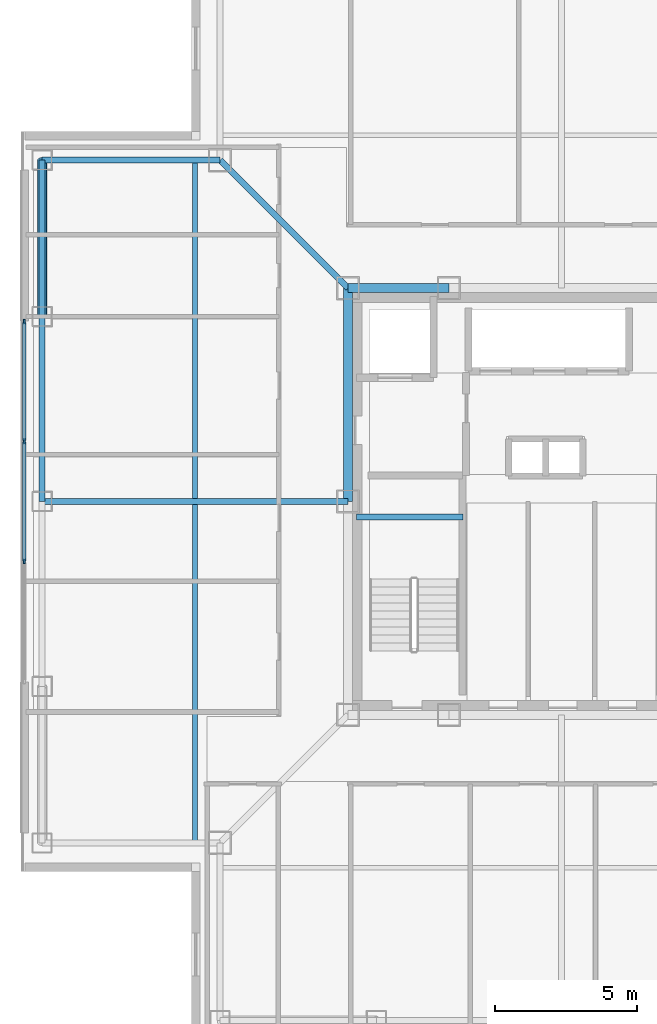
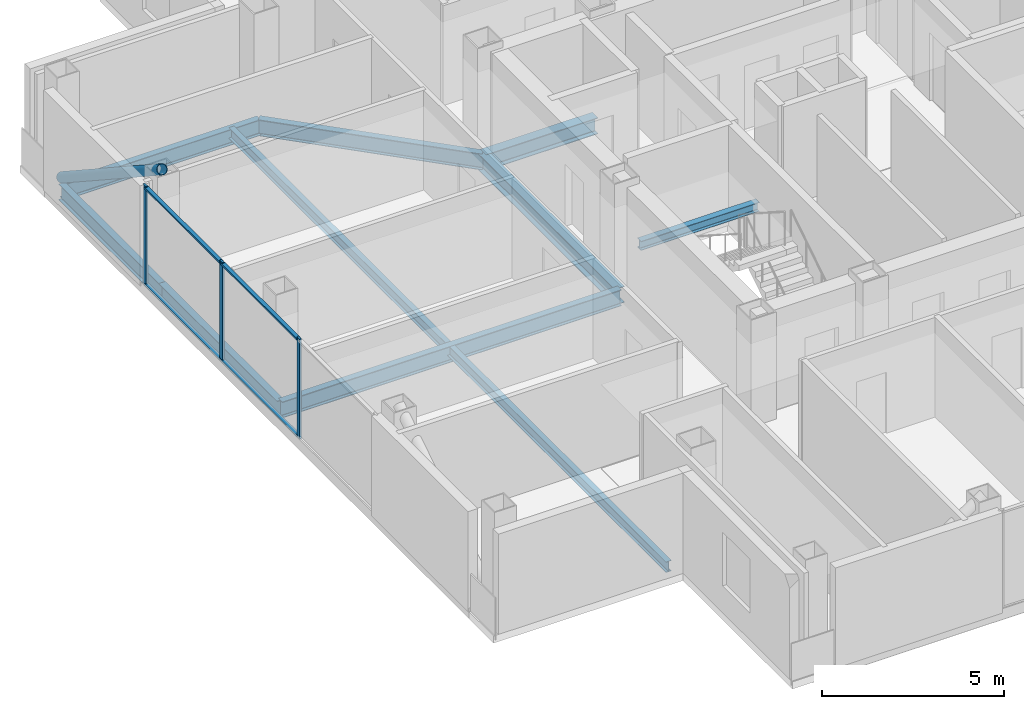
# One storey, part 4 of 16: 9 beams, 8 members, 1 element without a shape of its own.
"""IFC4 building model written with IfcOpenShell, lengths in metres."""

from ifc_helpers import new_model, si_unit, direction, frame, origin, origin_2d, place, context, subcontext, project, spatial, rectangle, hollow_circle, i_section, extrude, material, layer, layer_set, material_profile, profile_set, type_object, element, aggregate, save


model = new_model("IFC4")

# Units and contexts
model_context = context("Model", 3, precision=1e-05, world=origin(), true_north=direction((0.0, 1.0)))
body_context = subcontext(model_context, "Body", "Model", "MODEL_VIEW")
ifc_project = project(units=[si_unit("LENGTHUNIT", "METRE"), si_unit("AREAUNIT", "SQUARE_METRE"), si_unit("VOLUMEUNIT", "CUBIC_METRE"), si_unit("PLANEANGLEUNIT", "RADIAN"), si_unit("MASSUNIT", "GRAM", prefix="KILO")], contexts=[model_context])

# Site, building, storey
site_placement = place(None, origin())
site = spatial("IfcSite", under=ifc_project, at=site_placement, CompositionType="ELEMENT")
building_placement = place(site_placement, origin())
building = spatial("IfcBuilding", under=site, at=building_placement, Name="Trevonay Congress Spire", CompositionType="ELEMENT")
storey_placement = place(building_placement, frame((0.0, 0.0, 236.0)))
storey = spatial("IfcBuildingStorey", under=building, at=storey_placement, Name="L61", CompositionType="ELEMENT", Elevation=236.0)

# Beams
ifc_material_1 = material(Name="Steel ASTM A572 Grade 50", Category="steel")
ifc_material_profile_1 = material_profile(ifc_material_1, i_section(OverallWidth=0.2119140625, OverallDepth=0.5439453125, WebThickness=0.01318359375, FlangeThickness=0.021240234375, FilletRadius=0.014892578125, at=origin_2d()), Name="W530x123")
ifc_profile_set_1 = profile_set([ifc_material_profile_1], Name="Steel ASTM A572 Grade 50")
beam_type_1 = type_object("IfcBeamType", Name="BM-GIRD-W530X123", PredefinedType="BEAM", material=ifc_profile_set_1)
beam_1_placement = place(storey_placement, frame((-7.5, 7.5, -0.511962890625), z_axis=(-0.707106781187, 0.707106781187, 0.0), x_axis=(-0.707106781187, -0.707106781187, 0.0)))
element("IfcBeam", 1, at=beam_1_placement, inside=storey, type_object=beam_type_1, Name="L61 structural beam BM-L61-CDNW", PredefinedType="BEAM", context=body_context, shape_type="SweptSolid", body=[
    extrude(i_section(OverallWidth=0.2119140625, OverallDepth=0.5439453125, WebThickness=0.01318359375, FlangeThickness=0.021240234375, FilletRadius=0.014892578125, at=origin_2d()), origin(), (0.0, 0.0, 1.0), 6.364013671875),
])
beam_2_placement = place(storey_placement, frame((-7.5, 0.0, -0.511962890625), z_axis=(-1.0, 0.0, 0.0), x_axis=(0.0, -1.0, 0.0)))
element("IfcBeam", 2, at=beam_2_placement, inside=storey, type_object=beam_type_1, Name="L61 structural beam BM-L61-GC-W", PredefinedType="BEAM", context=body_context, shape_type="SweptSolid", body=[
    extrude(i_section(OverallWidth=0.2119140625, OverallDepth=0.5439453125, WebThickness=0.01318359375, FlangeThickness=0.021240234375, FilletRadius=0.014892578125, at=origin_2d()), origin(), (0.0, 0.0, 1.0), 10.75),
])
ifc_material_profile_2 = material_profile(ifc_material_1, i_section(OverallWidth=0.31201171875, OverallDepth=0.54296875, WebThickness=0.0126953125, FlangeThickness=0.020263671875, FilletRadius=0.014892578125, at=origin_2d()), Name="W530x150")
ifc_profile_set_2 = profile_set([ifc_material_profile_2], Name="Steel ASTM A572 Grade 50")
beam_type_2 = type_object("IfcBeamType", Name="BM-GIRD-W530X150", PredefinedType="BEAM", material=ifc_profile_set_2)
beam_3_placement = place(storey_placement, frame((-7.5, 7.5, -0.511474609375), z_axis=(1.0, 0.0, 0.0), x_axis=(0.0, 1.0, 0.0)))
element("IfcBeam", 3, at=beam_3_placement, inside=storey, type_object=beam_type_2, Name="L61 structural beam BM-L61-CR-N1", PredefinedType="BEAM", context=body_context, shape_type="SweptSolid", body=[
    extrude(i_section(OverallWidth=0.31201171875, OverallDepth=0.54296875, WebThickness=0.0126953125, FlangeThickness=0.020263671875, FilletRadius=0.014892578125, at=origin_2d()), origin(), (0.0, 0.0, 1.0), 3.550048828125),
])
beam_4_placement = place(storey_placement, frame((-7.5, 0.0, -0.511474609375), z_axis=(0.0, 1.0, 0.0), x_axis=(-1.0, 0.0, 0.0)))
element("IfcBeam", 4, at=beam_4_placement, inside=storey, type_object=beam_type_2, Name="L61 structural beam BM-L61-CR-W2", PredefinedType="BEAM", context=body_context, shape_type="SweptSolid", body=[
    extrude(i_section(OverallWidth=0.31201171875, OverallDepth=0.54296875, WebThickness=0.0126953125, FlangeThickness=0.020263671875, FilletRadius=0.014892578125, at=origin_2d()), origin(), (0.0, 0.0, 1.0), 7.5),
])
ifc_material_profile_3 = material_profile(ifc_material_1, i_section(OverallWidth=0.208984375, OverallDepth=0.532958984375, WebThickness=0.01025390625, FlangeThickness=0.015625, FilletRadius=0.014892578125, at=origin_2d()), Name="W530x92")
ifc_profile_set_3 = profile_set([ifc_material_profile_3], Name="Steel ASTM A572 Grade 50")
beam_type_3 = type_object("IfcBeamType", Name="BM-RING-W530X92", PredefinedType="BEAM", material=ifc_profile_set_3)
beam_5_placement = place(storey_placement, frame((-18.25, 0.0, -0.506591796875), z_axis=(0.0, 1.0, 0.0), x_axis=(-1.0, 0.0, 0.0)))
element("IfcBeam", 5, at=beam_5_placement, inside=storey, type_object=beam_type_3, Name="L61 structural beam BM-L61-PW3", PredefinedType="BEAM", context=body_context, shape_type="SweptSolid", body=[
    extrude(i_section(OverallWidth=0.208984375, OverallDepth=0.532958984375, WebThickness=0.01025390625, FlangeThickness=0.015625, FilletRadius=0.014892578125, at=origin_2d()), origin(), (0.0, 0.0, 1.0), 6.5),
])
beam_6_placement = place(storey_placement, frame((-18.25, 6.5, -0.506591796875), z_axis=(0.0, 1.0, 0.0), x_axis=(-1.0, 0.0, 0.0)))
element("IfcBeam", 6, at=beam_6_placement, inside=storey, type_object=beam_type_3, Name="L61 structural beam BM-L61-PW4", PredefinedType="BEAM", context=body_context, shape_type="SweptSolid", body=[
    extrude(i_section(OverallWidth=0.208984375, OverallDepth=0.532958984375, WebThickness=0.01025390625, FlangeThickness=0.015625, FilletRadius=0.014892578125, at=origin_2d()), origin(), (0.0, 0.0, 1.0), 5.5),
])
beam_7_placement = place(storey_placement, frame((-18.25, 12.0, -0.506591796875), z_axis=(1.0, 0.0, 0.0), x_axis=(0.0, 1.0, 0.0)))
element("IfcBeam", 7, at=beam_7_placement, inside=storey, type_object=beam_type_3, Name="L61 structural beam BM-L61-N2NW", PredefinedType="BEAM", context=body_context, shape_type="SweptSolid", body=[
    extrude(i_section(OverallWidth=0.208984375, OverallDepth=0.532958984375, WebThickness=0.01025390625, FlangeThickness=0.015625, FilletRadius=0.014892578125, at=origin_2d()), origin(), (0.0, 0.0, 1.0), 6.25),
])

# Curtain wall, members
ifc_material_2 = material(Name="Pale Anodised Aluminium EN AW-6063-T6", Category="aluminium")
ifc_layer = layer(ifc_material_2, 0.1650390625, Name="Pale Anodised Aluminium EN AW-6063-T6")
ifc_layer_set = layer_set([ifc_layer], Name="Pale Anodised Aluminium EN AW-6063-T6")
curtain_wall_type = type_object("IfcCurtainWallType", Name="CW-SYS05-DIPLOM-PALE-METAL", PredefinedType="NOTDEFINED", material=ifc_layer_set)
curtain_wall_placement = place(storey_placement, origin())
curtain_wall = element("IfcCurtainWall", 8, at=curtain_wall_placement, inside=storey, type_object=curtain_wall_type, Name="L61 W unitised curtain wall", PredefinedType="NOTDEFINED")
ifc_material_profile_4 = material_profile(ifc_material_2, rectangle(XDim=0.06005859375, YDim=0.159912109375, at=origin_2d()), Name="CW-MULLION-160-ALUMINIUM")
ifc_profile_set_4 = profile_set([ifc_material_profile_4], Name="Pale Anodised Aluminium EN AW-6063-T6")
member_type_1 = type_object("IfcMemberType", Name="CW-MULLION-160-ALUMINIUM", PredefinedType="MULLION", material=ifc_profile_set_4)
member_1_placement = place(storey_placement, frame((-18.8798828125, -2.11669921875, 0.0), z_axis=(0.0, 0.0, 1.0), x_axis=(-1.0, 0.0, 0.0)))
member_1 = element("IfcMember", 9, at=member_1_placement, type_object=member_type_1, Name="CW05 mullion 2", PredefinedType="MULLION", context=body_context, shape_type="SweptSolid", body=[
    extrude(rectangle(XDim=0.06005859375, YDim=0.159912109375, at=origin_2d()), origin(), (0.0, 0.0, 1.0), 3.360107421875),
])
member_2_placement = place(storey_placement, frame((-18.8798828125, 2.11669921875, 0.0), z_axis=(0.0, 0.0, 1.0), x_axis=(-1.0, 0.0, 0.0)))
member_2 = element("IfcMember", 10, at=member_2_placement, type_object=member_type_1, Name="CW05 mullion 3", PredefinedType="MULLION", context=body_context, shape_type="SweptSolid", body=[
    extrude(rectangle(XDim=0.06005859375, YDim=0.159912109375, at=origin_2d()), origin(), (0.0, 0.0, 1.0), 3.360107421875),
])
member_3_placement = place(storey_placement, frame((-18.8798828125, 6.320068359375, 0.0), z_axis=(0.0, 0.0, 1.0), x_axis=(-1.0, 0.0, 0.0)))
member_3 = element("IfcMember", 11, at=member_3_placement, type_object=member_type_1, Name="CW05 mullion 4", PredefinedType="MULLION", context=body_context, shape_type="SweptSolid", body=[
    extrude(rectangle(XDim=0.06005859375, YDim=0.159912109375, at=origin_2d()), origin(), (0.0, 0.0, 1.0), 3.360107421875),
])
ifc_material_profile_5 = material_profile(ifc_material_2, rectangle(XDim=0.1201171875, YDim=0.06005859375, at=origin_2d()), Name="CW-TRANSOM-120-ALUMINIUM")
ifc_profile_set_5 = profile_set([ifc_material_profile_5], Name="Pale Anodised Aluminium EN AW-6063-T6")
member_type_2 = type_object("IfcMemberType", Name="CW-TRANSOM-120-ALUMINIUM", PredefinedType="USERDEFINED", material=ifc_profile_set_5)
member_4_placement = place(storey_placement, frame((-18.8798828125, -2.086669921875, 0.06005859375), z_axis=(0.0, 1.0, 0.0), x_axis=(-1.0, 0.0, 0.0)))
member_4 = element("IfcMember", 12, at=member_4_placement, type_object=member_type_2, Name="CW05 transom 2.1", ObjectType="TRANSOM", PredefinedType="USERDEFINED", context=body_context, shape_type="SweptSolid", body=[
    extrude(rectangle(XDim=0.1201171875, YDim=0.06005859375, at=origin_2d()), origin(), (0.0, 0.0, 1.0), 4.17333984375),
])
member_5_placement = place(storey_placement, frame((-18.8798828125, -2.086669921875, 3.300048828125), z_axis=(0.0, 1.0, 0.0), x_axis=(-1.0, 0.0, 0.0)))
member_5 = element("IfcMember", 13, at=member_5_placement, type_object=member_type_2, Name="CW05 transom 2.2", ObjectType="TRANSOM", PredefinedType="USERDEFINED", context=body_context, shape_type="SweptSolid", body=[
    extrude(rectangle(XDim=0.1201171875, YDim=0.06005859375, at=origin_2d()), origin(), (0.0, 0.0, 1.0), 4.17333984375),
])
member_6_placement = place(storey_placement, frame((-18.8798828125, 2.146728515625, 0.06005859375), z_axis=(0.0, 1.0, 0.0), x_axis=(-1.0, 0.0, 0.0)))
member_6 = element("IfcMember", 14, at=member_6_placement, type_object=member_type_2, Name="CW05 transom 3.1", ObjectType="TRANSOM", PredefinedType="USERDEFINED", context=body_context, shape_type="SweptSolid", body=[
    extrude(rectangle(XDim=0.1201171875, YDim=0.06005859375, at=origin_2d()), origin(), (0.0, 0.0, 1.0), 4.143310546875),
])
member_7_placement = place(storey_placement, frame((-18.8798828125, 2.146728515625, 3.300048828125), z_axis=(0.0, 1.0, 0.0), x_axis=(-1.0, 0.0, 0.0)))
member_7 = element("IfcMember", 15, at=member_7_placement, type_object=member_type_2, Name="CW05 transom 3.2", ObjectType="TRANSOM", PredefinedType="USERDEFINED", context=body_context, shape_type="SweptSolid", body=[
    extrude(rectangle(XDim=0.1201171875, YDim=0.06005859375, at=origin_2d()), origin(), (0.0, 0.0, 1.0), 4.143310546875),
])
aggregate(curtain_wall, [member_1, member_2, member_3, member_4, member_5, member_6, member_7])

# Beams
ifc_material_profile_6 = material_profile(ifc_material_1, i_section(OverallWidth=0.172119140625, OverallDepth=0.35791015625, WebThickness=0.0078125, FlangeThickness=0.01318359375, FilletRadius=0.011962890625, at=origin_2d()), Name="W360x57.8")
ifc_profile_set_6 = profile_set([ifc_material_profile_6], Name="Steel ASTM A572 Grade 50")
beam_type_4 = type_object("IfcBeamType", Name="JS-COMP-W360X57", PredefinedType="JOIST", material=ifc_profile_set_6)
beam_8_placement = place(storey_placement, frame((-12.875, -12.0, -0.4189453125), z_axis=(0.0, 1.0, 0.0), x_axis=(-1.0, 0.0, 0.0)))
element("IfcBeam", 16, at=beam_8_placement, inside=storey, type_object=beam_type_4, Name="L61 structural beam JS-L61-RING-W", PredefinedType="JOIST", context=body_context, shape_type="SweptSolid", body=[
    extrude(i_section(OverallWidth=0.172119140625, OverallDepth=0.35791015625, WebThickness=0.0078125, FlangeThickness=0.01318359375, FilletRadius=0.011962890625, at=origin_2d()), origin(), (0.0, 0.0, 1.0), 24.0),
])
ifc_material_profile_7 = material_profile(ifc_material_1, i_section(OverallWidth=0.2041015625, OverallDepth=0.305908203125, WebThickness=0.008544921875, FlangeThickness=0.0146484375, FilletRadius=0.010986328125, at=origin_2d()), Name="W310x67")
ifc_profile_set_7 = profile_set([ifc_material_profile_7], Name="Steel ASTM A572 Grade 50")
beam_type_5 = type_object("IfcBeamType", Name="LN-CORE-W310X67", PredefinedType="LINTEL", material=ifc_profile_set_7)
beam_9_placement = place(storey_placement, frame((-7.199951171875, -0.550048828125, 1.447021484375), z_axis=(1.0, 0.0, 0.0), x_axis=(0.0, 1.0, 0.0)))
element("IfcBeam", 17, at=beam_9_placement, inside=storey, type_object=beam_type_5, Name="L61 structural beam BM-L61-HL-ST1", PredefinedType="LINTEL", context=body_context, shape_type="SweptSolid", body=[
    extrude(i_section(OverallWidth=0.2041015625, OverallDepth=0.305908203125, WebThickness=0.008544921875, FlangeThickness=0.0146484375, FilletRadius=0.010986328125, at=origin_2d()), origin(), (0.0, 0.0, 1.0), 3.75),
])

# Member
ifc_material_3 = material(Name="Steel ASTM A500 Grade C", Category="steel")
ifc_material_profile_8 = material_profile(ifc_material_3, hollow_circle(Radius=0.161865234375, WallThickness=0.01611328125, at=origin_2d()), Name="CHS 323.9x16")
ifc_profile_set_8 = profile_set([ifc_material_profile_8], Name="Steel ASTM A500 Grade C")
member_type_3 = type_object("IfcMemberType", Name="MBR-TUBE-CHS324", PredefinedType="BRACE", material=ifc_profile_set_8)
member_8_placement = place(storey_placement, frame((-18.25, 12.0, -0.050048828125), z_axis=(0.0, -0.836694709366, 0.547669574943), x_axis=(1.0, 0.0, 0.0)))
element("IfcMember", 18, at=member_8_placement, inside=storey, type_object=member_type_3, Name="L61 perimeter braced-tube diagonal W3", PredefinedType="BRACE", context=body_context, shape_type="SweptSolid", body=[
    extrude(hollow_circle(Radius=0.161865234375, WallThickness=0.01611328125, at=origin_2d()), origin(), (0.0, 0.0, 1.0), 6.573486328125),
])

save(model, "model.ifc")
